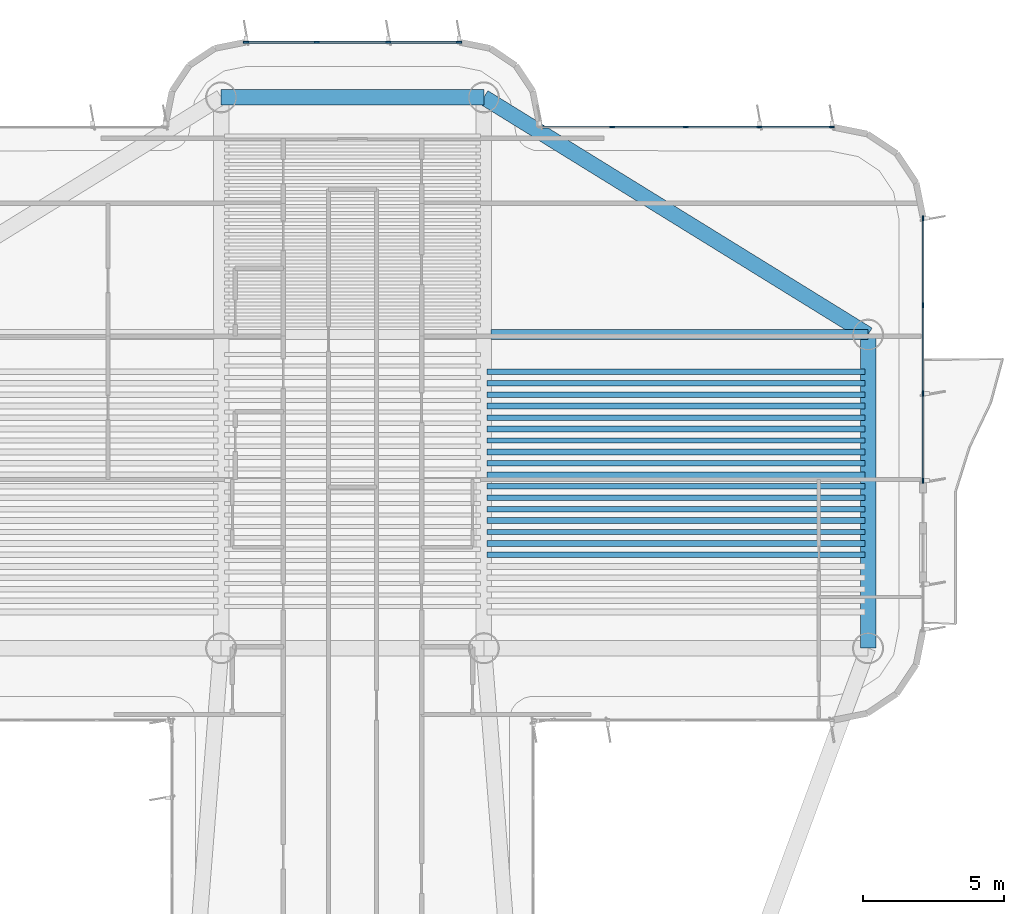
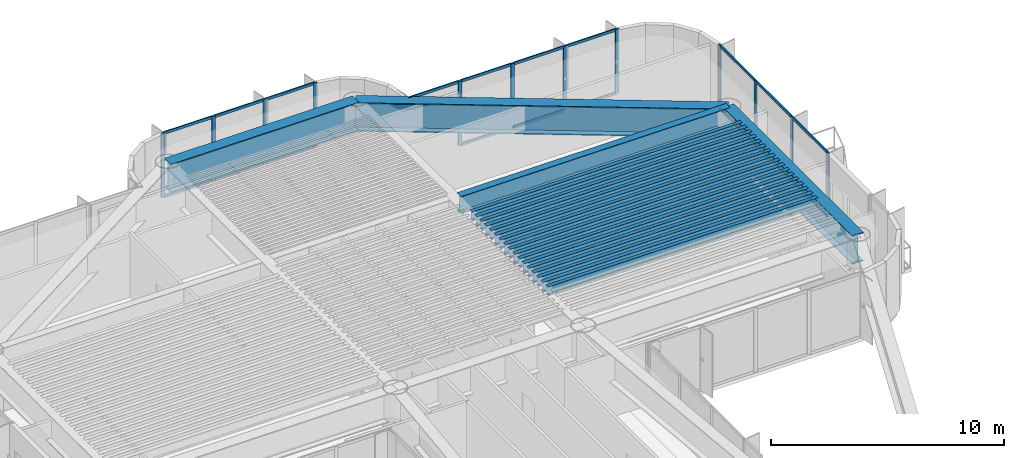
# One storey, part 6 of 13: 31 members, 21 beams, 3 elements without a shape of their own.
"""IFC4 building model written with IfcOpenShell, lengths in metres."""

from ifc_helpers import new_model, si_unit, direction, frame, origin, origin_2d, place, context, subcontext, project, spatial, rectangle, i_section, extrude, source, transform, mapped, material, layer, layer_set, material_profile, profile_set, type_object, element, aggregate, save


model = new_model("IFC4")

# Units and contexts
model_context = context("Model", 3, precision=1e-05, world=origin(), true_north=direction((0.0, 1.0)))
body_context = subcontext(model_context, "Body", "Model", "MODEL_VIEW")
ifc_project = project(units=[si_unit("LENGTHUNIT", "METRE"), si_unit("AREAUNIT", "SQUARE_METRE"), si_unit("VOLUMEUNIT", "CUBIC_METRE"), si_unit("PLANEANGLEUNIT", "RADIAN"), si_unit("MASSUNIT", "GRAM", prefix="KILO")], contexts=[model_context])

# Site, building, storey
site_placement = place(None, origin())
site = spatial("IfcSite", under=ifc_project, at=site_placement, CompositionType="ELEMENT")
building_placement = place(site_placement, origin())
building = spatial("IfcBuilding", under=site, at=building_placement, Name="Brelvock Crest Care Tower", CompositionType="ELEMENT")
storey_placement = place(building_placement, frame((0.0, 0.0, 209.340087890625)))
storey = spatial("IfcBuildingStorey", under=building, at=storey_placement, Name="L53", CompositionType="ELEMENT", Elevation=209.340087890625)

# Beams
ifc_material_1 = material(Name="Steel Grade 350", Category="steel")
ifc_material_profile_1 = material_profile(ifc_material_1, i_section(OverallWidth=0.550048828125, OverallDepth=1.5, WebThickness=0.02392578125, FlangeThickness=0.044921875, at=origin_2d()), Name="1500TG580")
ifc_profile_set_1 = profile_set([ifc_material_profile_1], Name="Steel Grade 350")
beam_type_1 = type_object("IfcBeamType", Name="BM-TG2", PredefinedType="USERDEFINED", material=ifc_profile_set_1)
shared_shape_1 = source(origin(), body_context, "Body", "SweptSolid", [
    extrude(i_section(OverallWidth=0.550048828125, OverallDepth=1.5, WebThickness=0.02392578125, FlangeThickness=0.044921875, at=origin_2d()), origin(), (0.0, 0.0, 1.0), 9.2998046875),
])
beam_1_placement = place(storey_placement, frame((31.35009765625, 54.449951171875, 2.621826171875), z_axis=(1.0, 0.0, 0.0), x_axis=(0.0, 1.0, 0.0)))
element("IfcBeam", 1, at=beam_1_placement, inside=storey, type_object=beam_type_1, Name="BM-TWR-L53-08", ObjectType="GIRDER", PredefinedType="USERDEFINED", context=body_context, shape_type="MappedRepresentation", body=[
    mapped(shared_shape_1, transform((0.0, 0.0, 0.0), x_axis=(1.0, 0.0, 0.0), y_axis=(0.0, 1.0, 0.0), z_axis=(0.0, 0.0, 1.0), scale=1.0)),
])
ifc_material_profile_2 = material_profile(ifc_material_1, i_section(OverallWidth=0.35009765625, OverallDepth=0.89990234375, WebThickness=0.01611328125, FlangeThickness=0.028076171875, at=origin_2d()), Name="900WB257")
ifc_profile_set_2 = profile_set([ifc_material_profile_2], Name="Steel Grade 350")
beam_type_2 = type_object("IfcBeamType", Name="BM-G6", PredefinedType="BEAM", material=ifc_profile_set_2)
shared_shape_2 = source(origin(), body_context, "Body", "SweptSolid", [
    extrude(i_section(OverallWidth=0.35009765625, OverallDepth=0.89990234375, WebThickness=0.01611328125, FlangeThickness=0.028076171875, at=origin_2d()), origin(), (0.0, 0.0, 1.0), 13.340087890625),
])
beam_2_placement = place(storey_placement, frame((40.909912109375, 46.050048828125, 2.921875), z_axis=(1.0, 0.0, 0.0), x_axis=(0.0, 1.0, 0.0)))
element("IfcBeam", 2, at=beam_2_placement, inside=storey, type_object=beam_type_2, Name="BM-TIE-L53-E", PredefinedType="BEAM", context=body_context, shape_type="MappedRepresentation", body=[
    mapped(shared_shape_2, transform((0.0, 0.0, 0.0), x_axis=(1.0, 0.0, 0.0), y_axis=(0.0, 1.0, 0.0), z_axis=(0.0, 0.0, 1.0), scale=1.0)),
])
ifc_material_profile_3 = material_profile(ifc_material_1, i_section(OverallWidth=0.208984375, OverallDepth=0.532958984375, WebThickness=0.01025390625, FlangeThickness=0.015625, FilletRadius=0.013916015625, at=origin_2d()), Name="530UB92.4")
ifc_profile_set_3 = profile_set([ifc_material_profile_3], Name="Steel Grade 350")
beam_type_3 = type_object("IfcBeamType", Name="BM-G2", PredefinedType="BEAM", material=ifc_profile_set_3)
shared_shape_3 = source(origin(), body_context, "Body", "SweptSolid", [
    extrude(i_section(OverallWidth=0.208984375, OverallDepth=0.532958984375, WebThickness=0.01025390625, FlangeThickness=0.015625, FilletRadius=0.013916015625, at=origin_2d()), origin(), (0.0, 0.0, 1.0), 13.3701171875),
])
for number, where, z_axis, x_axis, name in (
    (3, (40.764892578125, 38.657470703125, 3.10546875), (1.0, 0.0, 0.0), (0.0, 1.0, 0.0), "BM-JE-L53-9"),
    (4, (40.764892578125, 39.4677734375, 3.10546875), (1.0, 0.0, 0.0), (0.0, 1.0, 0.0), "BM-JE-L53-11"),
    (5, (40.764892578125, 40.278076171875, 3.10546875), (1.0, 0.0, 0.0), (0.0, 1.0, 0.0), "BM-JE-L53-13"),
    (6, (40.764892578125, 41.08837890625, 3.10546875), (1.0, 0.0, 0.0), (0.0, 1.0, 0.0), "BM-JE-L53-15"),
    (7, (40.764892578125, 41.898681640625, 3.10546875), (1.0, 0.0, 0.0), (0.0, 1.0, 0.0), "BM-JE-L53-17"),
    (8, (40.764892578125, 42.708984375, 3.10546875), (1.0, 0.0, 0.0), (0.0, 1.0, 0.0), "BM-JE-L53-19"),
    (9, (40.764892578125, 43.519287109375, 3.10546875), (1.0, 0.0, 0.0), (0.0, 1.0, 0.0), "BM-JE-L53-21"),
    (10, (40.764892578125, 44.32958984375, 3.10546875), (1.0, 0.0, 0.0), (0.0, 1.0, 0.0), "BM-JE-L53-23"),
):
    element("IfcBeam", number, at=place(storey_placement, frame(where, z_axis=z_axis, x_axis=x_axis)), inside=storey, type_object=beam_type_3, Name=name, PredefinedType="BEAM", context=body_context, shape_type="MappedRepresentation", body=[
        mapped(shared_shape_3, transform((0.0, 0.0, 0.0), x_axis=(1.0, 0.0, 0.0), y_axis=(0.0, 1.0, 0.0), z_axis=(0.0, 0.0, 1.0), scale=1.0)),
    ])
ifc_material_profile_4 = material_profile(ifc_material_1, i_section(OverallWidth=0.19091796875, OverallDepth=0.4599609375, WebThickness=0.010009765625, FlangeThickness=0.01611328125, FilletRadius=0.011474609375, at=origin_2d()), Name="460UB82.1")
ifc_profile_set_4 = profile_set([ifc_material_profile_4], Name="Steel Grade 350")
beam_type_4 = type_object("IfcBeamType", Name="BM-G3", PredefinedType="BEAM", material=ifc_profile_set_4)
shared_shape_4 = source(origin(), body_context, "Body", "SweptSolid", [
    extrude(i_section(OverallWidth=0.19091796875, OverallDepth=0.4599609375, WebThickness=0.010009765625, FlangeThickness=0.01611328125, FilletRadius=0.011474609375, at=origin_2d()), origin(), (0.0, 0.0, 1.0), 13.3701171875),
])
for number, where, z_axis, x_axis, name in (
    (11, (40.764892578125, 38.252197265625, 3.141845703125), (1.0, 0.0, 0.0), (0.0, 1.0, 0.0), "BM-JE-L53-8"),
    (12, (40.764892578125, 39.0625, 3.141845703125), (1.0, 0.0, 0.0), (0.0, 1.0, 0.0), "BM-JE-L53-10"),
    (13, (40.764892578125, 39.872802734375, 3.141845703125), (1.0, 0.0, 0.0), (0.0, 1.0, 0.0), "BM-JE-L53-12"),
    (14, (40.764892578125, 40.68310546875, 3.141845703125), (1.0, 0.0, 0.0), (0.0, 1.0, 0.0), "BM-JE-L53-14"),
    (15, (40.764892578125, 41.493408203125, 3.141845703125), (1.0, 0.0, 0.0), (0.0, 1.0, 0.0), "BM-JE-L53-16"),
    (16, (40.764892578125, 42.3037109375, 3.141845703125), (1.0, 0.0, 0.0), (0.0, 1.0, 0.0), "BM-JE-L53-18"),
    (17, (40.764892578125, 43.114013671875, 3.141845703125), (1.0, 0.0, 0.0), (0.0, 1.0, 0.0), "BM-JE-L53-20"),
    (18, (40.764892578125, 43.92431640625, 3.141845703125), (1.0, 0.0, 0.0), (0.0, 1.0, 0.0), "BM-JE-L53-22"),
    (19, (40.764892578125, 44.734619140625, 3.141845703125), (1.0, 0.0, 0.0), (0.0, 1.0, 0.0), "BM-JE-L53-24"),
):
    element("IfcBeam", number, at=place(storey_placement, frame(where, z_axis=z_axis, x_axis=x_axis)), inside=storey, type_object=beam_type_4, Name=name, PredefinedType="BEAM", context=body_context, shape_type="MappedRepresentation", body=[
        mapped(shared_shape_4, transform((0.0, 0.0, 0.0), x_axis=(1.0, 0.0, 0.0), y_axis=(0.0, 1.0, 0.0), z_axis=(0.0, 0.0, 1.0), scale=1.0)),
    ])
shared_shape_5 = source(origin(), body_context, "Body", "SweptSolid", [
    extrude(i_section(OverallWidth=0.550048828125, OverallDepth=1.5, WebThickness=0.02392578125, FlangeThickness=0.044921875, at=origin_2d()), origin(), (0.0, 0.0, 1.0), 11.10009765625),
])
beam_3_placement = place(storey_placement, frame((54.25, 34.949951171875, 2.621826171875), z_axis=(0.0, 1.0, 0.0), x_axis=(-1.0, 0.0, 0.0)))
element("IfcBeam", 20, at=beam_3_placement, inside=storey, type_object=beam_type_1, Name="BM-TWR-L53-02", ObjectType="GIRDER", PredefinedType="USERDEFINED", context=body_context, shape_type="MappedRepresentation", body=[
    mapped(shared_shape_5, transform((0.0, 0.0, 0.0), x_axis=(1.0, 0.0, 0.0), y_axis=(0.0, 1.0, 0.0), z_axis=(0.0, 0.0, 1.0), scale=1.0)),
])
shared_shape_6 = source(origin(), body_context, "Body", "SweptSolid", [
    extrude(i_section(OverallWidth=0.550048828125, OverallDepth=1.5, WebThickness=0.02392578125, FlangeThickness=0.044921875, at=origin_2d()), origin(), (0.0, 0.0, 1.0), 15.985107421875),
])
beam_4_placement = place(storey_placement, frame((40.64990234375, 54.449951171875, 2.621826171875), z_axis=(0.850802415717, -0.525485727124, 0.0), x_axis=(0.525485727124, 0.850802415717, 0.0)))
element("IfcBeam", 21, at=beam_4_placement, inside=storey, type_object=beam_type_1, Name="BM-TWR-L53-07", ObjectType="GIRDER", PredefinedType="USERDEFINED", context=body_context, shape_type="MappedRepresentation", body=[
    mapped(shared_shape_6, transform((0.0, 0.0, 0.0), x_axis=(1.0, 0.0, 0.0), y_axis=(0.0, 1.0, 0.0), z_axis=(0.0, 0.0, 1.0), scale=1.0)),
])

# Curtain wall, members
ifc_material_2 = material(Name="Dark Glass Double Glazed Low-E", Category="glass")
ifc_layer = layer(ifc_material_2, 0.22509765625, Name="CWS-4")
ifc_layer_set = layer_set([ifc_layer], Name="Dark Glass Double Glazed Low-E")
curtain_wall_type = type_object("IfcCurtainWallType", Name="CWS-4", PredefinedType="NOTDEFINED", material=ifc_layer_set)
curtain_wall_1_placement = place(storey_placement, origin())
curtain_wall_1 = element("IfcCurtainWall", 22, at=curtain_wall_1_placement, inside=storey, type_object=curtain_wall_type, Name="L53 Curtain Wall E28", PredefinedType="NOTDEFINED")
ifc_material_3 = material(Name="Aluminium 6063-T6", Category="aluminium")
ifc_material_profile_5 = material_profile(ifc_material_3, rectangle(XDim=0.06005859375, YDim=0.139892578125, at=origin_2d()), Name="ALU60x140")
ifc_profile_set_5 = profile_set([ifc_material_profile_5], Name="Aluminium 6063-T6")
member_type_1 = type_object("IfcMemberType", Name="CWT-2", PredefinedType="USERDEFINED", material=ifc_profile_set_5)
shared_shape_7 = source(origin(), body_context, "Body", "SweptSolid", [
    extrude(rectangle(XDim=0.06005859375, YDim=0.139892578125, at=origin_2d()), origin(), (0.0, 0.0, 1.0), 2.443359375),
])
member_1_placement = place(storey_placement, frame((32.260009765625, 56.39990234375, 0.030029296875), z_axis=(1.0, 0.0, 0.0), x_axis=(0.0, 1.0, 0.0)))
member_1 = element("IfcMember", 23, at=member_1_placement, type_object=member_type_1, Name="CW-4 transom 1.1", ObjectType="TRANSOM", PredefinedType="USERDEFINED", context=body_context, shape_type="MappedRepresentation", body=[
    mapped(shared_shape_7, transform((0.0, 0.0, 0.0), x_axis=(1.0, 0.0, 0.0), y_axis=(0.0, 1.0, 0.0), z_axis=(0.0, 0.0, 1.0), scale=1.0)),
])
member_2_placement = place(storey_placement, frame((32.260009765625, 56.39990234375, 3.341796875), z_axis=(1.0, 0.0, 0.0), x_axis=(0.0, 1.0, 0.0)))
member_2 = element("IfcMember", 24, at=member_2_placement, type_object=member_type_1, Name="CW-4 transom 1.2", ObjectType="TRANSOM", PredefinedType="USERDEFINED", context=body_context, shape_type="MappedRepresentation", body=[
    mapped(shared_shape_7, transform((0.0, 0.0, 0.0), x_axis=(1.0, 0.0, 0.0), y_axis=(0.0, 1.0, 0.0), z_axis=(0.0, 0.0, 1.0), scale=1.0)),
])
member_3_placement = place(storey_placement, frame((37.296630859375, 56.39990234375, 0.030029296875), z_axis=(1.0, 0.0, 0.0), x_axis=(0.0, 1.0, 0.0)))
member_3 = element("IfcMember", 25, at=member_3_placement, type_object=member_type_1, Name="CW-4 transom 3.1", ObjectType="TRANSOM", PredefinedType="USERDEFINED", context=body_context, shape_type="MappedRepresentation", body=[
    mapped(shared_shape_7, transform((0.0, 0.0, 0.0), x_axis=(1.0, 0.0, 0.0), y_axis=(0.0, 1.0, 0.0), z_axis=(0.0, 0.0, 1.0), scale=1.0)),
])
member_4_placement = place(storey_placement, frame((37.296630859375, 56.39990234375, 3.341796875), z_axis=(1.0, 0.0, 0.0), x_axis=(0.0, 1.0, 0.0)))
member_4 = element("IfcMember", 26, at=member_4_placement, type_object=member_type_1, Name="CW-4 transom 3.2", ObjectType="TRANSOM", PredefinedType="USERDEFINED", context=body_context, shape_type="MappedRepresentation", body=[
    mapped(shared_shape_7, transform((0.0, 0.0, 0.0), x_axis=(1.0, 0.0, 0.0), y_axis=(0.0, 1.0, 0.0), z_axis=(0.0, 0.0, 1.0), scale=1.0)),
])
shared_shape_8 = source(origin(), body_context, "Body", "SweptSolid", [
    extrude(rectangle(XDim=0.06005859375, YDim=0.139892578125, at=origin_2d()), origin(), (0.0, 0.0, 1.0), 2.47314453125),
])
member_5_placement = place(storey_placement, frame((34.763427734375, 56.39990234375, 0.030029296875), z_axis=(1.0, 0.0, 0.0), x_axis=(0.0, 1.0, 0.0)))
member_5 = element("IfcMember", 27, at=member_5_placement, type_object=member_type_1, Name="CW-4 transom 2.1", ObjectType="TRANSOM", PredefinedType="USERDEFINED", context=body_context, shape_type="MappedRepresentation", body=[
    mapped(shared_shape_8, transform((0.0, 0.0, 0.0), x_axis=(1.0, 0.0, 0.0), y_axis=(0.0, 1.0, 0.0), z_axis=(0.0, 0.0, 1.0), scale=1.0)),
])
member_6_placement = place(storey_placement, frame((34.763427734375, 56.39990234375, 3.341796875), z_axis=(1.0, 0.0, 0.0), x_axis=(0.0, 1.0, 0.0)))
member_6 = element("IfcMember", 28, at=member_6_placement, type_object=member_type_1, Name="CW-4 transom 2.2", ObjectType="TRANSOM", PredefinedType="USERDEFINED", context=body_context, shape_type="MappedRepresentation", body=[
    mapped(shared_shape_8, transform((0.0, 0.0, 0.0), x_axis=(1.0, 0.0, 0.0), y_axis=(0.0, 1.0, 0.0), z_axis=(0.0, 0.0, 1.0), scale=1.0)),
])

curtain_wall_2_placement = place(storey_placement, origin())
curtain_wall_2 = element("IfcCurtainWall", 29, at=curtain_wall_2_placement, inside=storey, type_object=curtain_wall_type, Name="L53 Curtain Wall E34", PredefinedType="NOTDEFINED")
shared_shape_9 = source(origin(), body_context, "Body", "SweptSolid", [
    extrude(rectangle(XDim=0.06005859375, YDim=0.139892578125, at=origin_2d()), origin(), (0.0, 0.0, 1.0), 2.510009765625),
])
member_7_placement = place(storey_placement, frame((42.659912109375, 53.39990234375, 3.341796875), z_axis=(1.0, 0.0, 0.0), x_axis=(0.0, 1.0, 0.0)))
member_7 = element("IfcMember", 30, at=member_7_placement, type_object=member_type_1, Name="CW-4 transom 1.2", ObjectType="TRANSOM", PredefinedType="USERDEFINED", context=body_context, shape_type="MappedRepresentation", body=[
    mapped(shared_shape_9, transform((0.0, 0.0, 0.0), x_axis=(1.0, 0.0, 0.0), y_axis=(0.0, 1.0, 0.0), z_axis=(0.0, 0.0, 1.0), scale=1.0)),
])
member_8_placement = place(storey_placement, frame((50.429931640625, 53.39990234375, 0.030029296875), z_axis=(1.0, 0.0, 0.0), x_axis=(0.0, 1.0, 0.0)))
member_8 = element("IfcMember", 31, at=member_8_placement, type_object=member_type_1, Name="CW-4 transom 4.1", ObjectType="TRANSOM", PredefinedType="USERDEFINED", context=body_context, shape_type="MappedRepresentation", body=[
    mapped(shared_shape_9, transform((0.0, 0.0, 0.0), x_axis=(1.0, 0.0, 0.0), y_axis=(0.0, 1.0, 0.0), z_axis=(0.0, 0.0, 1.0), scale=1.0)),
])
member_9_placement = place(storey_placement, frame((50.429931640625, 53.39990234375, 3.341796875), z_axis=(1.0, 0.0, 0.0), x_axis=(0.0, 1.0, 0.0)))
member_9 = element("IfcMember", 32, at=member_9_placement, type_object=member_type_1, Name="CW-4 transom 4.2", ObjectType="TRANSOM", PredefinedType="USERDEFINED", context=body_context, shape_type="MappedRepresentation", body=[
    mapped(shared_shape_9, transform((0.0, 0.0, 0.0), x_axis=(1.0, 0.0, 0.0), y_axis=(0.0, 1.0, 0.0), z_axis=(0.0, 0.0, 1.0), scale=1.0)),
])
shared_shape_10 = source(origin(), body_context, "Body", "SweptSolid", [
    extrude(rectangle(XDim=0.06005859375, YDim=0.139892578125, at=origin_2d()), origin(), (0.0, 0.0, 1.0), 2.5400390625),
])
member_10_placement = place(storey_placement, frame((45.22998046875, 53.39990234375, 0.030029296875), z_axis=(1.0, 0.0, 0.0), x_axis=(0.0, 1.0, 0.0)))
member_10 = element("IfcMember", 33, at=member_10_placement, type_object=member_type_1, Name="CW-4 transom 2.1", ObjectType="TRANSOM", PredefinedType="USERDEFINED", context=body_context, shape_type="MappedRepresentation", body=[
    mapped(shared_shape_10, transform((0.0, 0.0, 0.0), x_axis=(1.0, 0.0, 0.0), y_axis=(0.0, 1.0, 0.0), z_axis=(0.0, 0.0, 1.0), scale=1.0)),
])
member_11_placement = place(storey_placement, frame((45.22998046875, 53.39990234375, 3.341796875), z_axis=(1.0, 0.0, 0.0), x_axis=(0.0, 1.0, 0.0)))
member_11 = element("IfcMember", 34, at=member_11_placement, type_object=member_type_1, Name="CW-4 transom 2.2", ObjectType="TRANSOM", PredefinedType="USERDEFINED", context=body_context, shape_type="MappedRepresentation", body=[
    mapped(shared_shape_10, transform((0.0, 0.0, 0.0), x_axis=(1.0, 0.0, 0.0), y_axis=(0.0, 1.0, 0.0), z_axis=(0.0, 0.0, 1.0), scale=1.0)),
])
member_12_placement = place(storey_placement, frame((47.830078125, 53.39990234375, 0.030029296875), z_axis=(1.0, 0.0, 0.0), x_axis=(0.0, 1.0, 0.0)))
member_12 = element("IfcMember", 35, at=member_12_placement, type_object=member_type_1, Name="CW-4 transom 3.1", ObjectType="TRANSOM", PredefinedType="USERDEFINED", context=body_context, shape_type="MappedRepresentation", body=[
    mapped(shared_shape_10, transform((0.0, 0.0, 0.0), x_axis=(1.0, 0.0, 0.0), y_axis=(0.0, 1.0, 0.0), z_axis=(0.0, 0.0, 1.0), scale=1.0)),
])
member_13_placement = place(storey_placement, frame((47.830078125, 53.39990234375, 3.341796875), z_axis=(1.0, 0.0, 0.0), x_axis=(0.0, 1.0, 0.0)))
member_13 = element("IfcMember", 36, at=member_13_placement, type_object=member_type_1, Name="CW-4 transom 3.2", ObjectType="TRANSOM", PredefinedType="USERDEFINED", context=body_context, shape_type="MappedRepresentation", body=[
    mapped(shared_shape_10, transform((0.0, 0.0, 0.0), x_axis=(1.0, 0.0, 0.0), y_axis=(0.0, 1.0, 0.0), z_axis=(0.0, 0.0, 1.0), scale=1.0)),
])

curtain_wall_3_placement = place(storey_placement, origin())
curtain_wall_3 = element("IfcCurtainWall", 37, at=curtain_wall_3_placement, inside=storey, type_object=curtain_wall_type, Name="L53 Curtain Wall E39A", PredefinedType="NOTDEFINED")
shared_shape_11 = source(origin(), body_context, "Body", "SweptSolid", [
    extrude(rectangle(XDim=0.06005859375, YDim=0.139892578125, at=origin_2d()), origin(), (0.0, 0.0, 1.0), 3.02685546875),
])
member_14_placement = place(storey_placement, frame((56.199951171875, 43.936767578125, 0.030029296875), z_axis=(0.0, -1.0, 0.0), x_axis=(1.0, 0.0, 0.0)))
member_14 = element("IfcMember", 38, at=member_14_placement, type_object=member_type_1, Name="CW-4 transom 3.1", ObjectType="TRANSOM", PredefinedType="USERDEFINED", context=body_context, shape_type="MappedRepresentation", body=[
    mapped(shared_shape_11, transform((0.0, 0.0, 0.0), x_axis=(1.0, 0.0, 0.0), y_axis=(0.0, 1.0, 0.0), z_axis=(0.0, 0.0, 1.0), scale=1.0)),
])
member_15_placement = place(storey_placement, frame((56.199951171875, 43.936767578125, 3.341796875), z_axis=(0.0, -1.0, 0.0), x_axis=(1.0, 0.0, 0.0)))
member_15 = element("IfcMember", 39, at=member_15_placement, type_object=member_type_1, Name="CW-4 transom 3.2", ObjectType="TRANSOM", PredefinedType="USERDEFINED", context=body_context, shape_type="MappedRepresentation", body=[
    mapped(shared_shape_11, transform((0.0, 0.0, 0.0), x_axis=(1.0, 0.0, 0.0), y_axis=(0.0, 1.0, 0.0), z_axis=(0.0, 0.0, 1.0), scale=1.0)),
])
shared_shape_12 = source(origin(), body_context, "Body", "SweptSolid", [
    extrude(rectangle(XDim=0.06005859375, YDim=0.139892578125, at=origin_2d()), origin(), (0.0, 0.0, 1.0), 3.056640625),
])
member_16_placement = place(storey_placement, frame((56.199951171875, 47.05322265625, 0.030029296875), z_axis=(0.0, -1.0, 0.0), x_axis=(1.0, 0.0, 0.0)))
member_16 = element("IfcMember", 40, at=member_16_placement, type_object=member_type_1, Name="CW-4 transom 2.1", ObjectType="TRANSOM", PredefinedType="USERDEFINED", context=body_context, shape_type="MappedRepresentation", body=[
    mapped(shared_shape_12, transform((0.0, 0.0, 0.0), x_axis=(1.0, 0.0, 0.0), y_axis=(0.0, 1.0, 0.0), z_axis=(0.0, 0.0, 1.0), scale=1.0)),
])
member_17_placement = place(storey_placement, frame((56.199951171875, 47.05322265625, 3.341796875), z_axis=(0.0, -1.0, 0.0), x_axis=(1.0, 0.0, 0.0)))
member_17 = element("IfcMember", 41, at=member_17_placement, type_object=member_type_1, Name="CW-4 transom 2.2", ObjectType="TRANSOM", PredefinedType="USERDEFINED", context=body_context, shape_type="MappedRepresentation", body=[
    mapped(shared_shape_12, transform((0.0, 0.0, 0.0), x_axis=(1.0, 0.0, 0.0), y_axis=(0.0, 1.0, 0.0), z_axis=(0.0, 0.0, 1.0), scale=1.0)),
])
shared_shape_13 = source(origin(), body_context, "Body", "SweptSolid", [
    extrude(rectangle(XDim=0.06005859375, YDim=0.139892578125, at=origin_2d()), origin(), (0.0, 0.0, 1.0), 3.026611328125),
])
member_18_placement = place(storey_placement, frame((56.199951171875, 50.139892578125, 0.030029296875), z_axis=(0.0, -1.0, 0.0), x_axis=(1.0, 0.0, 0.0)))
member_18 = element("IfcMember", 42, at=member_18_placement, type_object=member_type_1, Name="CW-4 transom 1.1", ObjectType="TRANSOM", PredefinedType="USERDEFINED", context=body_context, shape_type="MappedRepresentation", body=[
    mapped(shared_shape_13, transform((0.0, 0.0, 0.0), x_axis=(1.0, 0.0, 0.0), y_axis=(0.0, 1.0, 0.0), z_axis=(0.0, 0.0, 1.0), scale=1.0)),
])
member_19_placement = place(storey_placement, frame((56.199951171875, 50.139892578125, 3.341796875), z_axis=(0.0, -1.0, 0.0), x_axis=(1.0, 0.0, 0.0)))
member_19 = element("IfcMember", 43, at=member_19_placement, type_object=member_type_1, Name="CW-4 transom 1.2", ObjectType="TRANSOM", PredefinedType="USERDEFINED", context=body_context, shape_type="MappedRepresentation", body=[
    mapped(shared_shape_13, transform((0.0, 0.0, 0.0), x_axis=(1.0, 0.0, 0.0), y_axis=(0.0, 1.0, 0.0), z_axis=(0.0, 0.0, 1.0), scale=1.0)),
])

# Member
ifc_material_profile_6 = material_profile(ifc_material_3, rectangle(XDim=0.06005859375, YDim=0.179931640625, at=origin_2d()), Name="ALU60x180")
ifc_profile_set_6 = profile_set([ifc_material_profile_6], Name="Aluminium 6063-T6")
member_type_2 = type_object("IfcMemberType", Name="CWM-2", PredefinedType="MULLION", material=ifc_profile_set_6)
shared_shape_14 = source(origin(), body_context, "Body", "SweptSolid", [
    extrude(rectangle(XDim=0.06005859375, YDim=0.179931640625, at=origin_2d()), origin(), (0.0, 0.0, 1.0), 3.371826171875),
])
member_20_placement = place(storey_placement, frame((32.22998046875, 56.39990234375, 0.0), z_axis=(0.0, 0.0, 1.0), x_axis=(0.0, 1.0, 0.0)))
member_20 = element("IfcMember", 44, at=member_20_placement, type_object=member_type_2, Name="CW-4 mullion 1", PredefinedType="MULLION", context=body_context, shape_type="MappedRepresentation", body=[
    mapped(shared_shape_14, transform((0.0, 0.0, 0.0), x_axis=(1.0, 0.0, 0.0), y_axis=(0.0, 1.0, 0.0), z_axis=(0.0, 0.0, 1.0), scale=1.0)),
])

member_21_placement = place(storey_placement, frame((34.7333984375, 56.39990234375, 0.0), z_axis=(0.0, 0.0, 1.0), x_axis=(0.0, 1.0, 0.0)))
member_21 = element("IfcMember", 45, at=member_21_placement, type_object=member_type_2, Name="CW-4 mullion 2", PredefinedType="MULLION", context=body_context, shape_type="MappedRepresentation", body=[
    mapped(shared_shape_14, transform((0.0, 0.0, 0.0), x_axis=(1.0, 0.0, 0.0), y_axis=(0.0, 1.0, 0.0), z_axis=(0.0, 0.0, 1.0), scale=1.0)),
])

member_22_placement = place(storey_placement, frame((37.2666015625, 56.39990234375, 0.0), z_axis=(0.0, 0.0, 1.0), x_axis=(0.0, 1.0, 0.0)))
member_22 = element("IfcMember", 46, at=member_22_placement, type_object=member_type_2, Name="CW-4 mullion 3", PredefinedType="MULLION", context=body_context, shape_type="MappedRepresentation", body=[
    mapped(shared_shape_14, transform((0.0, 0.0, 0.0), x_axis=(1.0, 0.0, 0.0), y_axis=(0.0, 1.0, 0.0), z_axis=(0.0, 0.0, 1.0), scale=1.0)),
])

member_23_placement = place(storey_placement, frame((39.77001953125, 56.39990234375, 0.0), z_axis=(0.0, 0.0, 1.0), x_axis=(0.0, 1.0, 0.0)))
member_23 = element("IfcMember", 47, at=member_23_placement, type_object=member_type_2, Name="CW-4 mullion 4", PredefinedType="MULLION", context=body_context, shape_type="MappedRepresentation", body=[
    mapped(shared_shape_14, transform((0.0, 0.0, 0.0), x_axis=(1.0, 0.0, 0.0), y_axis=(0.0, 1.0, 0.0), z_axis=(0.0, 0.0, 1.0), scale=1.0)),
])

aggregate(curtain_wall_1, [member_20, member_21, member_22, member_23, member_1, member_2, member_5, member_6, member_3, member_4])

member_24_placement = place(storey_placement, frame((45.199951171875, 53.39990234375, 0.0), z_axis=(0.0, 0.0, 1.0), x_axis=(0.0, 1.0, 0.0)))
member_24 = element("IfcMember", 48, at=member_24_placement, type_object=member_type_2, Name="CW-4 mullion 2", PredefinedType="MULLION", context=body_context, shape_type="MappedRepresentation", body=[
    mapped(shared_shape_14, transform((0.0, 0.0, 0.0), x_axis=(1.0, 0.0, 0.0), y_axis=(0.0, 1.0, 0.0), z_axis=(0.0, 0.0, 1.0), scale=1.0)),
])

member_25_placement = place(storey_placement, frame((47.800048828125, 53.39990234375, 0.0), z_axis=(0.0, 0.0, 1.0), x_axis=(0.0, 1.0, 0.0)))
member_25 = element("IfcMember", 49, at=member_25_placement, type_object=member_type_2, Name="CW-4 mullion 3", PredefinedType="MULLION", context=body_context, shape_type="MappedRepresentation", body=[
    mapped(shared_shape_14, transform((0.0, 0.0, 0.0), x_axis=(1.0, 0.0, 0.0), y_axis=(0.0, 1.0, 0.0), z_axis=(0.0, 0.0, 1.0), scale=1.0)),
])

member_26_placement = place(storey_placement, frame((50.39990234375, 53.39990234375, 0.0), z_axis=(0.0, 0.0, 1.0), x_axis=(0.0, 1.0, 0.0)))
member_26 = element("IfcMember", 50, at=member_26_placement, type_object=member_type_2, Name="CW-4 mullion 4", PredefinedType="MULLION", context=body_context, shape_type="MappedRepresentation", body=[
    mapped(shared_shape_14, transform((0.0, 0.0, 0.0), x_axis=(1.0, 0.0, 0.0), y_axis=(0.0, 1.0, 0.0), z_axis=(0.0, 0.0, 1.0), scale=1.0)),
])

member_27_placement = place(storey_placement, frame((52.969970703125, 53.39990234375, 0.0), z_axis=(0.0, 0.0, 1.0), x_axis=(0.0, 1.0, 0.0)))
member_27 = element("IfcMember", 51, at=member_27_placement, type_object=member_type_2, Name="CW-4 mullion 5", PredefinedType="MULLION", context=body_context, shape_type="MappedRepresentation", body=[
    mapped(shared_shape_14, transform((0.0, 0.0, 0.0), x_axis=(1.0, 0.0, 0.0), y_axis=(0.0, 1.0, 0.0), z_axis=(0.0, 0.0, 1.0), scale=1.0)),
])

aggregate(curtain_wall_2, [member_24, member_25, member_26, member_27, member_7, member_10, member_11, member_12, member_13, member_8, member_9])

member_28_placement = place(storey_placement, frame((56.199951171875, 50.169921875, 0.0), z_axis=(0.0, 0.0, 1.0), x_axis=(1.0, 0.0, 0.0)))
member_28 = element("IfcMember", 52, at=member_28_placement, type_object=member_type_2, Name="CW-4 mullion 1", PredefinedType="MULLION", context=body_context, shape_type="MappedRepresentation", body=[
    mapped(shared_shape_14, transform((0.0, 0.0, 0.0), x_axis=(1.0, 0.0, 0.0), y_axis=(0.0, 1.0, 0.0), z_axis=(0.0, 0.0, 1.0), scale=1.0)),
])

member_29_placement = place(storey_placement, frame((56.199951171875, 47.083251953125, 0.0), z_axis=(0.0, 0.0, 1.0), x_axis=(1.0, 0.0, 0.0)))
member_29 = element("IfcMember", 53, at=member_29_placement, type_object=member_type_2, Name="CW-4 mullion 2", PredefinedType="MULLION", context=body_context, shape_type="MappedRepresentation", body=[
    mapped(shared_shape_14, transform((0.0, 0.0, 0.0), x_axis=(1.0, 0.0, 0.0), y_axis=(0.0, 1.0, 0.0), z_axis=(0.0, 0.0, 1.0), scale=1.0)),
])

member_30_placement = place(storey_placement, frame((56.199951171875, 43.966552734375, 0.0), z_axis=(0.0, 0.0, 1.0), x_axis=(1.0, 0.0, 0.0)))
member_30 = element("IfcMember", 54, at=member_30_placement, type_object=member_type_2, Name="CW-4 mullion 3", PredefinedType="MULLION", context=body_context, shape_type="MappedRepresentation", body=[
    mapped(shared_shape_14, transform((0.0, 0.0, 0.0), x_axis=(1.0, 0.0, 0.0), y_axis=(0.0, 1.0, 0.0), z_axis=(0.0, 0.0, 1.0), scale=1.0)),
])

member_31_placement = place(storey_placement, frame((56.199951171875, 40.8798828125, 0.0), z_axis=(0.0, 0.0, 1.0), x_axis=(1.0, 0.0, 0.0)))
member_31 = element("IfcMember", 55, at=member_31_placement, type_object=member_type_2, Name="CW-4 mullion 4", PredefinedType="MULLION", context=body_context, shape_type="MappedRepresentation", body=[
    mapped(shared_shape_14, transform((0.0, 0.0, 0.0), x_axis=(1.0, 0.0, 0.0), y_axis=(0.0, 1.0, 0.0), z_axis=(0.0, 0.0, 1.0), scale=1.0)),
])

aggregate(curtain_wall_3, [member_28, member_29, member_30, member_31, member_18, member_19, member_16, member_17, member_14, member_15])

save(model, "model.ifc")
